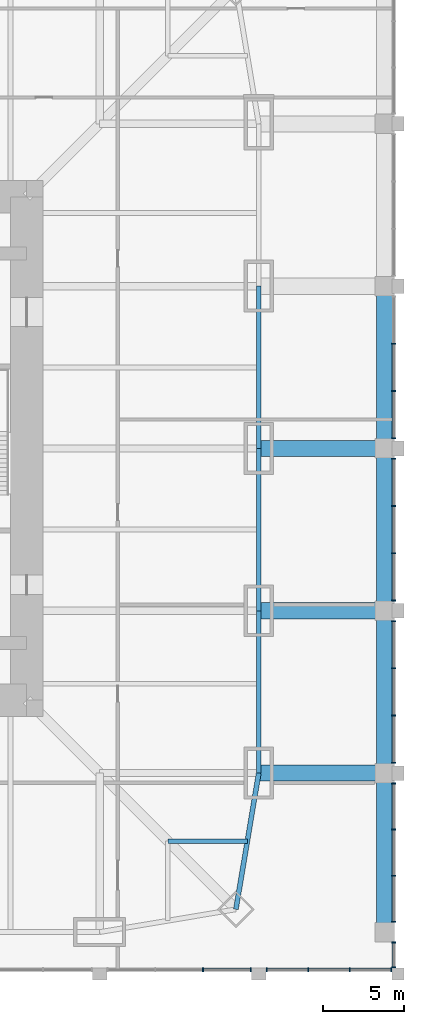
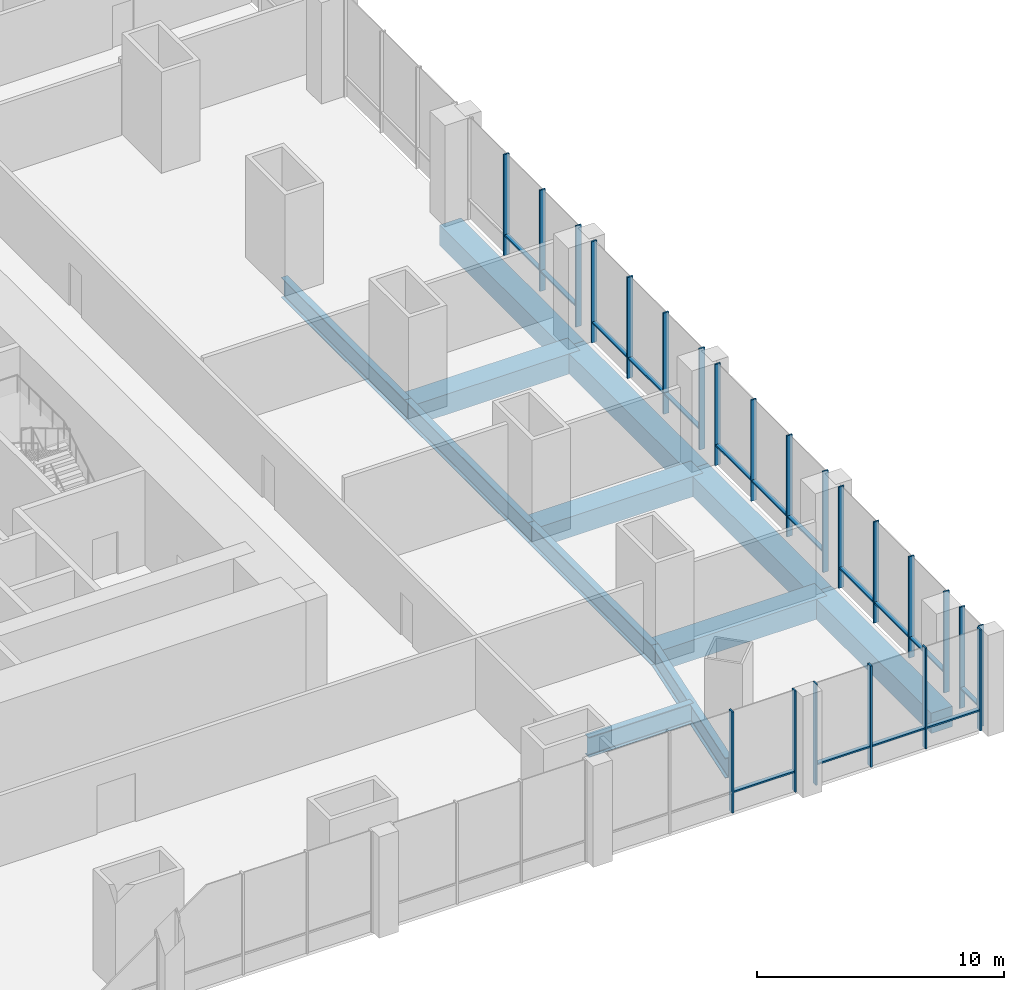
# One storey, part 8 of 24: 39 members, 12 beams, 7 elements without a shape of their own.
"""IFC4 building model written with IfcOpenShell, lengths in metres."""

from ifc_helpers import new_model, si_unit, direction, frame, origin, origin_2d, place, context, subcontext, project, spatial, rectangle, i_section, extrude, material, material_profile, profile_set, type_object, element, aggregate, save


model = new_model("IFC4")

# Units and contexts
model_context = context("Model", 3, precision=1e-05, world=origin(), true_north=direction((0.0, 1.0)))
body_context = subcontext(model_context, "Body", "Model", "MODEL_VIEW")
ifc_project = project(units=[si_unit("LENGTHUNIT", "METRE"), si_unit("AREAUNIT", "SQUARE_METRE"), si_unit("VOLUMEUNIT", "CUBIC_METRE"), si_unit("PLANEANGLEUNIT", "RADIAN"), si_unit("MASSUNIT", "GRAM", prefix="KILO")], contexts=[model_context])

# Site, building, storey
site_placement = place(None, origin())
site = spatial("IfcSite", under=ifc_project, at=site_placement, CompositionType="ELEMENT")
building_placement = place(site_placement, origin())
building = spatial("IfcBuilding", under=site, at=building_placement, Name="Khuree Lantern Residences", CompositionType="ELEMENT")
storey_placement = place(building_placement, frame((0.0, 0.0, 11.0)))
storey = spatial("IfcBuildingStorey", under=building, at=storey_placement, Name="L02", CompositionType="ELEMENT", Elevation=11.0)

# Beams
ifc_material_1 = material(Name="Steel S355", Category="steel")
ifc_material_profile_1 = material_profile(ifc_material_1, i_section(OverallWidth=0.300048828125, OverallDepth=1.0, WebThickness=0.01904296875, FlangeThickness=0.035888671875, FilletRadius=0.030029296875, at=origin_2d()), Name="HE 1000 B")
ifc_profile_set_1 = profile_set([ifc_material_profile_1], Name="Steel S355")
beam_type_1 = type_object("IfcBeamType", Name="B-02 SECONDARY BEAM HE 1000 B", PredefinedType="BEAM", material=ifc_profile_set_1)
beam_1_placement = place(storey_placement, frame((29.09716796875, -24.197021484375, -0.800048828125), z_axis=(-1.0, 0.0, 0.0), x_axis=(0.0, -1.0, 0.0)))
element("IfcBeam", 1, at=beam_1_placement, inside=storey, type_object=beam_type_1, Name="Secondary beam E6", PredefinedType="BEAM", context=body_context, shape_type="SweptSolid", body=[
    extrude(i_section(OverallWidth=0.300048828125, OverallDepth=1.0, WebThickness=0.01904296875, FlangeThickness=0.035888671875, FilletRadius=0.030029296875, at=origin_2d()), origin(), (0.0, 0.0, 1.0), 4.900146484375),
])
ifc_material_profile_2 = material_profile(ifc_material_1, i_section(OverallWidth=0.300048828125, OverallDepth=1.0, WebThickness=0.01904296875, FlangeThickness=0.035888671875, FilletRadius=0.030029296875, at=origin_2d()), Name="HE 1000 B")
ifc_profile_set_2 = profile_set([ifc_material_profile_2], Name="Steel S355")
beam_type_2 = type_object("IfcBeamType", Name="E-02 SPANDREL BEAM HE 1000 B", PredefinedType="SPANDREL", material=ifc_profile_set_2)
for number, where, z_axis, x_axis, name in (
    (2, (29.800048828125, 10.0, -0.800048828125), (0.0, -1.0, 0.0), (1.0, 0.0, 0.0), "Spandrel beam E3"),
    (3, (29.800048828125, 0.0, -0.800048828125), (0.0, -1.0, 0.0), (1.0, 0.0, 0.0), "Spandrel beam E4"),
    (4, (29.800048828125, -10.0, -0.800048828125), (0.0, -1.0, 0.0), (1.0, 0.0, 0.0), "Spandrel beam E5"),
):
    element("IfcBeam", number, at=place(storey_placement, frame(where, z_axis=z_axis, x_axis=x_axis)), inside=storey, type_object=beam_type_2, Name=name, PredefinedType="SPANDREL", context=body_context, shape_type="SweptSolid", body=[
        extrude(i_section(OverallWidth=0.300048828125, OverallDepth=1.0, WebThickness=0.01904296875, FlangeThickness=0.035888671875, FilletRadius=0.030029296875, at=origin_2d()), origin(), (0.0, 0.0, 1.0), 10.0),
    ])
beam_2_placement = place(storey_placement, frame((29.800048828125, -20.0, -0.800048828125), z_axis=(-0.165199022349, -0.986260251158, 0.0), x_axis=(0.986260251158, -0.165199022349, 0.0)))
element("IfcBeam", 5, at=beam_2_placement, inside=storey, type_object=beam_type_2, Name="Spandrel beam E6", PredefinedType="SPANDREL", context=body_context, shape_type="SweptSolid", body=[
    extrude(i_section(OverallWidth=0.300048828125, OverallDepth=1.0, WebThickness=0.01904296875, FlangeThickness=0.035888671875, FilletRadius=0.030029296875, at=origin_2d()), origin(), (0.0, 0.0, 1.0), 8.510986328125),
])

# Curtain wall, members
ifc_material_2 = material(Name="Bronze anodised aluminium", Category="aluminium")
curtain_wall_type = type_object("IfcCurtainWallType", Name="CW-P PODIUM STOREFRONT CURTAIN WALL", PredefinedType="USERDEFINED", material=ifc_material_2)
curtain_wall_1_placement = place(storey_placement, origin())
curtain_wall_1 = element("IfcCurtainWall", 6, at=curtain_wall_1_placement, inside=storey, type_object=curtain_wall_type, Name="L02 SOUTH FACE BAY 7 STOREFRONT", ObjectType="Storefront curtain wall", PredefinedType="USERDEFINED")
ifc_material_profile_3 = material_profile(ifc_material_2, rectangle(XDim=0.074951171875, YDim=0.25, at=origin_2d()), Name="M5 75X250")
ifc_profile_set_3 = profile_set([ifc_material_profile_3], Name="Bronze anodised aluminium")
member_type_1 = type_object("IfcMemberType", Name="MULLION M5 STOREFRONT 75X250", PredefinedType="MULLION", material=ifc_profile_set_3)
member_1_placement = place(storey_placement, frame((26.370849609375, -32.125, 0.0), z_axis=(0.0, 0.0, 1.0), x_axis=(1.0, 0.0, 0.0)))
member_1 = element("IfcMember", 7, at=member_1_placement, type_object=member_type_1, Name="L02 SOUTH FACE BAY 7 MULLION 3", PredefinedType="MULLION", context=body_context, shape_type="SweptSolid", body=[
    extrude(rectangle(XDim=0.074951171875, YDim=0.25, at=origin_2d()), origin(), (0.0, 0.0, 1.0), 5.0),
])
member_2_placement = place(storey_placement, frame((29.3125, -32.125, 0.0), z_axis=(0.0, 0.0, 1.0), x_axis=(1.0, 0.0, 0.0)))
member_2 = element("IfcMember", 8, at=member_2_placement, type_object=member_type_1, Name="L02 SOUTH FACE BAY 7 MULLION 4", PredefinedType="MULLION", context=body_context, shape_type="SweptSolid", body=[
    extrude(rectangle(XDim=0.074951171875, YDim=0.25, at=origin_2d()), origin(), (0.0, 0.0, 1.0), 5.0),
])

curtain_wall_2_placement = place(storey_placement, origin())
curtain_wall_2 = element("IfcCurtainWall", 9, at=curtain_wall_2_placement, inside=storey, type_object=curtain_wall_type, Name="L02 SOUTH FACE BAY 8 STOREFRONT", ObjectType="Storefront curtain wall", PredefinedType="USERDEFINED")
member_3_placement = place(storey_placement, frame((30.28759765625, -32.125, 0.0), z_axis=(0.0, 0.0, 1.0), x_axis=(1.0, 0.0, 0.0)))
member_3 = element("IfcMember", 10, at=member_3_placement, type_object=member_type_1, Name="L02 SOUTH FACE BAY 8 MULLION 1", PredefinedType="MULLION", context=body_context, shape_type="SweptSolid", body=[
    extrude(rectangle(XDim=0.074951171875, YDim=0.25, at=origin_2d()), origin(), (0.0, 0.0, 1.0), 5.0),
])
member_4_placement = place(storey_placement, frame((32.845947265625, -32.125, 0.0), z_axis=(0.0, 0.0, 1.0), x_axis=(1.0, 0.0, 0.0)))
member_4 = element("IfcMember", 11, at=member_4_placement, type_object=member_type_1, Name="L02 SOUTH FACE BAY 8 MULLION 2", PredefinedType="MULLION", context=body_context, shape_type="SweptSolid", body=[
    extrude(rectangle(XDim=0.074951171875, YDim=0.25, at=origin_2d()), origin(), (0.0, 0.0, 1.0), 5.0),
])
member_5_placement = place(storey_placement, frame((35.404052734375, -32.125, 0.0), z_axis=(0.0, 0.0, 1.0), x_axis=(1.0, 0.0, 0.0)))
member_5 = element("IfcMember", 12, at=member_5_placement, type_object=member_type_1, Name="L02 SOUTH FACE BAY 8 MULLION 3", PredefinedType="MULLION", context=body_context, shape_type="SweptSolid", body=[
    extrude(rectangle(XDim=0.074951171875, YDim=0.25, at=origin_2d()), origin(), (0.0, 0.0, 1.0), 5.0),
])
member_6_placement = place(storey_placement, frame((37.96240234375, -32.125, 0.0), z_axis=(0.0, 0.0, 1.0), x_axis=(1.0, 0.0, 0.0)))
member_6 = element("IfcMember", 13, at=member_6_placement, type_object=member_type_1, Name="L02 SOUTH FACE BAY 8 MULLION 4", PredefinedType="MULLION", context=body_context, shape_type="SweptSolid", body=[
    extrude(rectangle(XDim=0.074951171875, YDim=0.25, at=origin_2d()), origin(), (0.0, 0.0, 1.0), 5.0),
])

curtain_wall_3_placement = place(storey_placement, origin())
curtain_wall_3 = element("IfcCurtainWall", 14, at=curtain_wall_3_placement, inside=storey, type_object=curtain_wall_type, Name="L02 EAST FACE BAY 1 STOREFRONT", ObjectType="Storefront curtain wall", PredefinedType="USERDEFINED")
member_7_placement = place(storey_placement, frame((38.125, -31.96240234375, 0.0), z_axis=(0.0, 0.0, 1.0), x_axis=(0.0, 1.0, 0.0)))
member_7 = element("IfcMember", 15, at=member_7_placement, type_object=member_type_1, Name="L02 EAST FACE BAY 1 MULLION 1", PredefinedType="MULLION", context=body_context, shape_type="SweptSolid", body=[
    extrude(rectangle(XDim=0.074951171875, YDim=0.25, at=origin_2d()), origin(), (0.0, 0.0, 1.0), 5.0),
])
member_8_placement = place(storey_placement, frame((38.125, -30.4375, 0.0), z_axis=(0.0, 0.0, 1.0), x_axis=(0.0, 1.0, 0.0)))
member_8 = element("IfcMember", 16, at=member_8_placement, type_object=member_type_1, Name="L02 EAST FACE BAY 1 MULLION 2", PredefinedType="MULLION", context=body_context, shape_type="SweptSolid", body=[
    extrude(rectangle(XDim=0.074951171875, YDim=0.25, at=origin_2d()), origin(), (0.0, 0.0, 1.0), 5.0),
])

curtain_wall_4_placement = place(storey_placement, origin())
curtain_wall_4 = element("IfcCurtainWall", 17, at=curtain_wall_4_placement, inside=storey, type_object=curtain_wall_type, Name="L02 EAST FACE BAY 1B STOREFRONT", ObjectType="Storefront curtain wall", PredefinedType="USERDEFINED")
member_9_placement = place(storey_placement, frame((38.125, -29.16259765625, 0.0), z_axis=(0.0, 0.0, 1.0), x_axis=(0.0, 1.0, 0.0)))
member_9 = element("IfcMember", 18, at=member_9_placement, type_object=member_type_1, Name="L02 EAST FACE BAY 1B MULLION 1", PredefinedType="MULLION", context=body_context, shape_type="SweptSolid", body=[
    extrude(rectangle(XDim=0.074951171875, YDim=0.25, at=origin_2d()), origin(), (0.0, 0.0, 1.0), 5.0),
])
member_10_placement = place(storey_placement, frame((38.125, -26.32080078125, 0.0), z_axis=(0.0, 0.0, 1.0), x_axis=(0.0, 1.0, 0.0)))
member_10 = element("IfcMember", 19, at=member_10_placement, type_object=member_type_1, Name="L02 EAST FACE BAY 1B MULLION 2", PredefinedType="MULLION", context=body_context, shape_type="SweptSolid", body=[
    extrude(rectangle(XDim=0.074951171875, YDim=0.25, at=origin_2d()), origin(), (0.0, 0.0, 1.0), 5.0),
])
member_11_placement = place(storey_placement, frame((38.125, -23.479248046875, 0.0), z_axis=(0.0, 0.0, 1.0), x_axis=(0.0, 1.0, 0.0)))
member_11 = element("IfcMember", 20, at=member_11_placement, type_object=member_type_1, Name="L02 EAST FACE BAY 1B MULLION 3", PredefinedType="MULLION", context=body_context, shape_type="SweptSolid", body=[
    extrude(rectangle(XDim=0.074951171875, YDim=0.25, at=origin_2d()), origin(), (0.0, 0.0, 1.0), 5.0),
])
member_12_placement = place(storey_placement, frame((38.125, -20.637451171875, 0.0), z_axis=(0.0, 0.0, 1.0), x_axis=(0.0, 1.0, 0.0)))
member_12 = element("IfcMember", 21, at=member_12_placement, type_object=member_type_1, Name="L02 EAST FACE BAY 1B MULLION 4", PredefinedType="MULLION", context=body_context, shape_type="SweptSolid", body=[
    extrude(rectangle(XDim=0.074951171875, YDim=0.25, at=origin_2d()), origin(), (0.0, 0.0, 1.0), 5.0),
])

curtain_wall_5_placement = place(storey_placement, origin())
curtain_wall_5 = element("IfcCurtainWall", 22, at=curtain_wall_5_placement, inside=storey, type_object=curtain_wall_type, Name="L02 EAST FACE BAY 2 STOREFRONT", ObjectType="Storefront curtain wall", PredefinedType="USERDEFINED")
member_13_placement = place(storey_placement, frame((38.125, -19.362548828125, 0.0), z_axis=(0.0, 0.0, 1.0), x_axis=(0.0, 1.0, 0.0)))
member_13 = element("IfcMember", 23, at=member_13_placement, type_object=member_type_1, Name="L02 EAST FACE BAY 2 MULLION 1", PredefinedType="MULLION", context=body_context, shape_type="SweptSolid", body=[
    extrude(rectangle(XDim=0.074951171875, YDim=0.25, at=origin_2d()), origin(), (0.0, 0.0, 1.0), 5.0),
])
member_14_placement = place(storey_placement, frame((38.125, -16.4541015625, 0.0), z_axis=(0.0, 0.0, 1.0), x_axis=(0.0, 1.0, 0.0)))
member_14 = element("IfcMember", 24, at=member_14_placement, type_object=member_type_1, Name="L02 EAST FACE BAY 2 MULLION 2", PredefinedType="MULLION", context=body_context, shape_type="SweptSolid", body=[
    extrude(rectangle(XDim=0.074951171875, YDim=0.25, at=origin_2d()), origin(), (0.0, 0.0, 1.0), 5.0),
])
member_15_placement = place(storey_placement, frame((38.125, -13.5458984375, 0.0), z_axis=(0.0, 0.0, 1.0), x_axis=(0.0, 1.0, 0.0)))
member_15 = element("IfcMember", 25, at=member_15_placement, type_object=member_type_1, Name="L02 EAST FACE BAY 2 MULLION 3", PredefinedType="MULLION", context=body_context, shape_type="SweptSolid", body=[
    extrude(rectangle(XDim=0.074951171875, YDim=0.25, at=origin_2d()), origin(), (0.0, 0.0, 1.0), 5.0),
])
member_16_placement = place(storey_placement, frame((38.125, -10.637451171875, 0.0), z_axis=(0.0, 0.0, 1.0), x_axis=(0.0, 1.0, 0.0)))
member_16 = element("IfcMember", 26, at=member_16_placement, type_object=member_type_1, Name="L02 EAST FACE BAY 2 MULLION 4", PredefinedType="MULLION", context=body_context, shape_type="SweptSolid", body=[
    extrude(rectangle(XDim=0.074951171875, YDim=0.25, at=origin_2d()), origin(), (0.0, 0.0, 1.0), 5.0),
])

curtain_wall_6_placement = place(storey_placement, origin())
curtain_wall_6 = element("IfcCurtainWall", 27, at=curtain_wall_6_placement, inside=storey, type_object=curtain_wall_type, Name="L02 EAST FACE BAY 3 STOREFRONT", ObjectType="Storefront curtain wall", PredefinedType="USERDEFINED")
member_17_placement = place(storey_placement, frame((38.125, -9.362548828125, 0.0), z_axis=(0.0, 0.0, 1.0), x_axis=(0.0, 1.0, 0.0)))
member_17 = element("IfcMember", 28, at=member_17_placement, type_object=member_type_1, Name="L02 EAST FACE BAY 3 MULLION 1", PredefinedType="MULLION", context=body_context, shape_type="SweptSolid", body=[
    extrude(rectangle(XDim=0.074951171875, YDim=0.25, at=origin_2d()), origin(), (0.0, 0.0, 1.0), 5.0),
])
member_18_placement = place(storey_placement, frame((38.125, -6.4541015625, 0.0), z_axis=(0.0, 0.0, 1.0), x_axis=(0.0, 1.0, 0.0)))
member_18 = element("IfcMember", 29, at=member_18_placement, type_object=member_type_1, Name="L02 EAST FACE BAY 3 MULLION 2", PredefinedType="MULLION", context=body_context, shape_type="SweptSolid", body=[
    extrude(rectangle(XDim=0.074951171875, YDim=0.25, at=origin_2d()), origin(), (0.0, 0.0, 1.0), 5.0),
])
member_19_placement = place(storey_placement, frame((38.125, -3.5458984375, 0.0), z_axis=(0.0, 0.0, 1.0), x_axis=(0.0, 1.0, 0.0)))
member_19 = element("IfcMember", 30, at=member_19_placement, type_object=member_type_1, Name="L02 EAST FACE BAY 3 MULLION 3", PredefinedType="MULLION", context=body_context, shape_type="SweptSolid", body=[
    extrude(rectangle(XDim=0.074951171875, YDim=0.25, at=origin_2d()), origin(), (0.0, 0.0, 1.0), 5.0),
])
member_20_placement = place(storey_placement, frame((38.125, -0.637451171875, 0.0), z_axis=(0.0, 0.0, 1.0), x_axis=(0.0, 1.0, 0.0)))
member_20 = element("IfcMember", 31, at=member_20_placement, type_object=member_type_1, Name="L02 EAST FACE BAY 3 MULLION 4", PredefinedType="MULLION", context=body_context, shape_type="SweptSolid", body=[
    extrude(rectangle(XDim=0.074951171875, YDim=0.25, at=origin_2d()), origin(), (0.0, 0.0, 1.0), 5.0),
])

curtain_wall_7_placement = place(storey_placement, origin())
curtain_wall_7 = element("IfcCurtainWall", 32, at=curtain_wall_7_placement, inside=storey, type_object=curtain_wall_type, Name="L02 EAST FACE BAY 4 STOREFRONT", ObjectType="Storefront curtain wall", PredefinedType="USERDEFINED")
member_21_placement = place(storey_placement, frame((38.125, 0.637451171875, 0.0), z_axis=(0.0, 0.0, 1.0), x_axis=(0.0, 1.0, 0.0)))
member_21 = element("IfcMember", 33, at=member_21_placement, type_object=member_type_1, Name="L02 EAST FACE BAY 4 MULLION 1", PredefinedType="MULLION", context=body_context, shape_type="SweptSolid", body=[
    extrude(rectangle(XDim=0.074951171875, YDim=0.25, at=origin_2d()), origin(), (0.0, 0.0, 1.0), 5.0),
])
member_22_placement = place(storey_placement, frame((38.125, 3.5458984375, 0.0), z_axis=(0.0, 0.0, 1.0), x_axis=(0.0, 1.0, 0.0)))
member_22 = element("IfcMember", 34, at=member_22_placement, type_object=member_type_1, Name="L02 EAST FACE BAY 4 MULLION 2", PredefinedType="MULLION", context=body_context, shape_type="SweptSolid", body=[
    extrude(rectangle(XDim=0.074951171875, YDim=0.25, at=origin_2d()), origin(), (0.0, 0.0, 1.0), 5.0),
])
member_23_placement = place(storey_placement, frame((38.125, 6.4541015625, 0.0), z_axis=(0.0, 0.0, 1.0), x_axis=(0.0, 1.0, 0.0)))
member_23 = element("IfcMember", 35, at=member_23_placement, type_object=member_type_1, Name="L02 EAST FACE BAY 4 MULLION 3", PredefinedType="MULLION", context=body_context, shape_type="SweptSolid", body=[
    extrude(rectangle(XDim=0.074951171875, YDim=0.25, at=origin_2d()), origin(), (0.0, 0.0, 1.0), 5.0),
])

# Beams
ifc_material_3 = material(Name="Concrete C40/50", Category="concrete")
ifc_material_profile_4 = material_profile(ifc_material_3, rectangle(XDim=1.0, YDim=1.0, at=origin_2d()), Name="RC 1000X1000")
ifc_profile_set_4 = profile_set([ifc_material_profile_4], Name="Concrete C40/50")
beam_type_3 = type_object("IfcBeamType", Name="RB3 PODIUM BEAM RC 1000X1000", PredefinedType="BEAM", material=ifc_profile_set_4)
for number, where, z_axis, x_axis, name in (
    (36, (29.800048828125, -20.0, -0.800048828125), (1.0, 0.0, 0.0), (0.0, 1.0, 0.0), "Podium beam RB-2"),
    (37, (29.800048828125, -10.0, -0.800048828125), (1.0, 0.0, 0.0), (0.0, 1.0, 0.0), "Podium beam RB-4"),
    (38, (29.800048828125, 0.0, -0.800048828125), (1.0, 0.0, 0.0), (0.0, 1.0, 0.0), "Podium beam RB-6"),
):
    element("IfcBeam", number, at=place(storey_placement, frame(where, z_axis=z_axis, x_axis=x_axis)), inside=storey, type_object=beam_type_3, Name=name, PredefinedType="BEAM", context=body_context, shape_type="SweptSolid", body=[
        extrude(rectangle(XDim=1.0, YDim=1.0, at=origin_2d()), origin(), (0.0, 0.0, 1.0), 7.75),
    ])
beam_3_placement = place(storey_placement, frame((37.550048828125, -29.800048828125, -0.800048828125), z_axis=(0.0, 1.0, 0.0), x_axis=(-1.0, 0.0, 0.0)))
element("IfcBeam", 39, at=beam_3_placement, inside=storey, type_object=beam_type_3, Name="Podium beam RB-45", PredefinedType="BEAM", context=body_context, shape_type="SweptSolid", body=[
    extrude(rectangle(XDim=1.0, YDim=1.0, at=origin_2d()), origin(), (0.0, 0.0, 1.0), 9.800048828125),
])
for number, where, z_axis, x_axis, name in (
    (40, (37.550048828125, -20.0, -0.800048828125), (0.0, 1.0, 0.0), (-1.0, 0.0, 0.0), "Podium beam RB-46"),
    (41, (37.550048828125, -10.0, -0.800048828125), (0.0, 1.0, 0.0), (-1.0, 0.0, 0.0), "Podium beam RB-47"),
    (42, (37.550048828125, 0.0, -0.800048828125), (0.0, 1.0, 0.0), (-1.0, 0.0, 0.0), "Podium beam RB-48"),
):
    element("IfcBeam", number, at=place(storey_placement, frame(where, z_axis=z_axis, x_axis=x_axis)), inside=storey, type_object=beam_type_3, Name=name, PredefinedType="BEAM", context=body_context, shape_type="SweptSolid", body=[
        extrude(rectangle(XDim=1.0, YDim=1.0, at=origin_2d()), origin(), (0.0, 0.0, 1.0), 10.0),
    ])

# Member
ifc_material_profile_5 = material_profile(ifc_material_2, rectangle(XDim=0.199951171875, YDim=0.074951171875, at=origin_2d()), Name="T5 200X75")
ifc_profile_set_5 = profile_set([ifc_material_profile_5], Name="Bronze anodised aluminium")
member_type_2 = type_object("IfcMemberType", Name="TRANSOM T5 STOREFRONT 200X75", PredefinedType="USERDEFINED", material=ifc_profile_set_5)
member_24_placement = place(storey_placement, frame((26.408447265625, -32.1201171875, 1.0), z_axis=(1.0, 0.0, 0.0), x_axis=(0.0, 1.0, 0.0)))
member_24 = element("IfcMember", 43, at=member_24_placement, type_object=member_type_2, Name="L02 SOUTH FACE BAY 7 TRANSOM 3", ObjectType="Transom", PredefinedType="USERDEFINED", context=body_context, shape_type="SweptSolid", body=[
    extrude(rectangle(XDim=0.199951171875, YDim=0.074951171875, at=origin_2d()), origin(), (0.0, 0.0, 1.0), 2.866455078125),
])

aggregate(curtain_wall_1, [member_1, member_2, member_24])

member_25_placement = place(storey_placement, frame((30.324951171875, -32.1201171875, 1.0), z_axis=(1.0, 0.0, 0.0), x_axis=(0.0, 1.0, 0.0)))
member_25 = element("IfcMember", 44, at=member_25_placement, type_object=member_type_2, Name="L02 SOUTH FACE BAY 8 TRANSOM 1", ObjectType="Transom", PredefinedType="USERDEFINED", context=body_context, shape_type="SweptSolid", body=[
    extrude(rectangle(XDim=0.199951171875, YDim=0.074951171875, at=origin_2d()), origin(), (0.0, 0.0, 1.0), 2.4833984375),
])

member_26_placement = place(storey_placement, frame((32.88330078125, -32.1201171875, 1.0), z_axis=(1.0, 0.0, 0.0), x_axis=(0.0, 1.0, 0.0)))
member_26 = element("IfcMember", 45, at=member_26_placement, type_object=member_type_2, Name="L02 SOUTH FACE BAY 8 TRANSOM 2", ObjectType="Transom", PredefinedType="USERDEFINED", context=body_context, shape_type="SweptSolid", body=[
    extrude(rectangle(XDim=0.199951171875, YDim=0.074951171875, at=origin_2d()), origin(), (0.0, 0.0, 1.0), 2.4833984375),
])

member_27_placement = place(storey_placement, frame((35.441650390625, -32.1201171875, 1.0), z_axis=(1.0, 0.0, 0.0), x_axis=(0.0, 1.0, 0.0)))
member_27 = element("IfcMember", 46, at=member_27_placement, type_object=member_type_2, Name="L02 SOUTH FACE BAY 8 TRANSOM 3", ObjectType="Transom", PredefinedType="USERDEFINED", context=body_context, shape_type="SweptSolid", body=[
    extrude(rectangle(XDim=0.199951171875, YDim=0.074951171875, at=origin_2d()), origin(), (0.0, 0.0, 1.0), 2.4833984375),
])

aggregate(curtain_wall_2, [member_3, member_4, member_5, member_6, member_25, member_26, member_27])

member_28_placement = place(storey_placement, frame((38.1201171875, -31.925048828125, 1.0), z_axis=(0.0, 1.0, 0.0), x_axis=(-1.0, 0.0, 0.0)))
member_28 = element("IfcMember", 47, at=member_28_placement, type_object=member_type_2, Name="L02 EAST FACE BAY 1 TRANSOM 1", ObjectType="Transom", PredefinedType="USERDEFINED", context=body_context, shape_type="SweptSolid", body=[
    extrude(rectangle(XDim=0.199951171875, YDim=0.074951171875, at=origin_2d()), origin(), (0.0, 0.0, 1.0), 1.449951171875),
])

aggregate(curtain_wall_3, [member_7, member_8, member_28])

member_29_placement = place(storey_placement, frame((38.1201171875, -29.125, 1.0), z_axis=(0.0, 1.0, 0.0), x_axis=(-1.0, 0.0, 0.0)))
member_29 = element("IfcMember", 48, at=member_29_placement, type_object=member_type_2, Name="L02 EAST FACE BAY 1B TRANSOM 1", ObjectType="Transom", PredefinedType="USERDEFINED", context=body_context, shape_type="SweptSolid", body=[
    extrude(rectangle(XDim=0.199951171875, YDim=0.074951171875, at=origin_2d()), origin(), (0.0, 0.0, 1.0), 2.7666015625),
])

member_30_placement = place(storey_placement, frame((38.1201171875, -26.283447265625, 1.0), z_axis=(0.0, 1.0, 0.0), x_axis=(-1.0, 0.0, 0.0)))
member_30 = element("IfcMember", 49, at=member_30_placement, type_object=member_type_2, Name="L02 EAST FACE BAY 1B TRANSOM 2", ObjectType="Transom", PredefinedType="USERDEFINED", context=body_context, shape_type="SweptSolid", body=[
    extrude(rectangle(XDim=0.199951171875, YDim=0.074951171875, at=origin_2d()), origin(), (0.0, 0.0, 1.0), 2.766845703125),
])

member_31_placement = place(storey_placement, frame((38.1201171875, -23.441650390625, 1.0), z_axis=(0.0, 1.0, 0.0), x_axis=(-1.0, 0.0, 0.0)))
member_31 = element("IfcMember", 50, at=member_31_placement, type_object=member_type_2, Name="L02 EAST FACE BAY 1B TRANSOM 3", ObjectType="Transom", PredefinedType="USERDEFINED", context=body_context, shape_type="SweptSolid", body=[
    extrude(rectangle(XDim=0.199951171875, YDim=0.074951171875, at=origin_2d()), origin(), (0.0, 0.0, 1.0), 2.7666015625),
])

aggregate(curtain_wall_4, [member_9, member_10, member_11, member_12, member_29, member_30, member_31])

member_32_placement = place(storey_placement, frame((38.1201171875, -19.324951171875, 1.0), z_axis=(0.0, 1.0, 0.0), x_axis=(-1.0, 0.0, 0.0)))
member_32 = element("IfcMember", 51, at=member_32_placement, type_object=member_type_2, Name="L02 EAST FACE BAY 2 TRANSOM 1", ObjectType="Transom", PredefinedType="USERDEFINED", context=body_context, shape_type="SweptSolid", body=[
    extrude(rectangle(XDim=0.199951171875, YDim=0.074951171875, at=origin_2d()), origin(), (0.0, 0.0, 1.0), 2.833251953125),
])

member_33_placement = place(storey_placement, frame((38.1201171875, -16.416748046875, 1.0), z_axis=(0.0, 1.0, 0.0), x_axis=(-1.0, 0.0, 0.0)))
member_33 = element("IfcMember", 52, at=member_33_placement, type_object=member_type_2, Name="L02 EAST FACE BAY 2 TRANSOM 2", ObjectType="Transom", PredefinedType="USERDEFINED", context=body_context, shape_type="SweptSolid", body=[
    extrude(rectangle(XDim=0.199951171875, YDim=0.074951171875, at=origin_2d()), origin(), (0.0, 0.0, 1.0), 2.83349609375),
])

member_34_placement = place(storey_placement, frame((38.1201171875, -13.50830078125, 1.0), z_axis=(0.0, 1.0, 0.0), x_axis=(-1.0, 0.0, 0.0)))
member_34 = element("IfcMember", 53, at=member_34_placement, type_object=member_type_2, Name="L02 EAST FACE BAY 2 TRANSOM 3", ObjectType="Transom", PredefinedType="USERDEFINED", context=body_context, shape_type="SweptSolid", body=[
    extrude(rectangle(XDim=0.199951171875, YDim=0.074951171875, at=origin_2d()), origin(), (0.0, 0.0, 1.0), 2.833251953125),
])

aggregate(curtain_wall_5, [member_13, member_14, member_15, member_16, member_32, member_33, member_34])

member_35_placement = place(storey_placement, frame((38.1201171875, -9.324951171875, 1.0), z_axis=(0.0, 1.0, 0.0), x_axis=(-1.0, 0.0, 0.0)))
member_35 = element("IfcMember", 54, at=member_35_placement, type_object=member_type_2, Name="L02 EAST FACE BAY 3 TRANSOM 1", ObjectType="Transom", PredefinedType="USERDEFINED", context=body_context, shape_type="SweptSolid", body=[
    extrude(rectangle(XDim=0.199951171875, YDim=0.074951171875, at=origin_2d()), origin(), (0.0, 0.0, 1.0), 2.833251953125),
])

member_36_placement = place(storey_placement, frame((38.1201171875, -6.416748046875, 1.0), z_axis=(0.0, 1.0, 0.0), x_axis=(-1.0, 0.0, 0.0)))
member_36 = element("IfcMember", 55, at=member_36_placement, type_object=member_type_2, Name="L02 EAST FACE BAY 3 TRANSOM 2", ObjectType="Transom", PredefinedType="USERDEFINED", context=body_context, shape_type="SweptSolid", body=[
    extrude(rectangle(XDim=0.199951171875, YDim=0.074951171875, at=origin_2d()), origin(), (0.0, 0.0, 1.0), 2.83349609375),
])

member_37_placement = place(storey_placement, frame((38.1201171875, -3.50830078125, 1.0), z_axis=(0.0, 1.0, 0.0), x_axis=(-1.0, 0.0, 0.0)))
member_37 = element("IfcMember", 56, at=member_37_placement, type_object=member_type_2, Name="L02 EAST FACE BAY 3 TRANSOM 3", ObjectType="Transom", PredefinedType="USERDEFINED", context=body_context, shape_type="SweptSolid", body=[
    extrude(rectangle(XDim=0.199951171875, YDim=0.074951171875, at=origin_2d()), origin(), (0.0, 0.0, 1.0), 2.833251953125),
])

aggregate(curtain_wall_6, [member_17, member_18, member_19, member_20, member_35, member_36, member_37])

member_38_placement = place(storey_placement, frame((38.1201171875, 0.675048828125, 1.0), z_axis=(0.0, 1.0, 0.0), x_axis=(-1.0, 0.0, 0.0)))
member_38 = element("IfcMember", 57, at=member_38_placement, type_object=member_type_2, Name="L02 EAST FACE BAY 4 TRANSOM 1", ObjectType="Transom", PredefinedType="USERDEFINED", context=body_context, shape_type="SweptSolid", body=[
    extrude(rectangle(XDim=0.199951171875, YDim=0.074951171875, at=origin_2d()), origin(), (0.0, 0.0, 1.0), 2.833251953125),
])

member_39_placement = place(storey_placement, frame((38.1201171875, 3.583251953125, 1.0), z_axis=(0.0, 1.0, 0.0), x_axis=(-1.0, 0.0, 0.0)))
member_39 = element("IfcMember", 58, at=member_39_placement, type_object=member_type_2, Name="L02 EAST FACE BAY 4 TRANSOM 2", ObjectType="Transom", PredefinedType="USERDEFINED", context=body_context, shape_type="SweptSolid", body=[
    extrude(rectangle(XDim=0.199951171875, YDim=0.074951171875, at=origin_2d()), origin(), (0.0, 0.0, 1.0), 2.83349609375),
])

aggregate(curtain_wall_7, [member_21, member_22, member_23, member_38, member_39])

save(model, "model.ifc")
